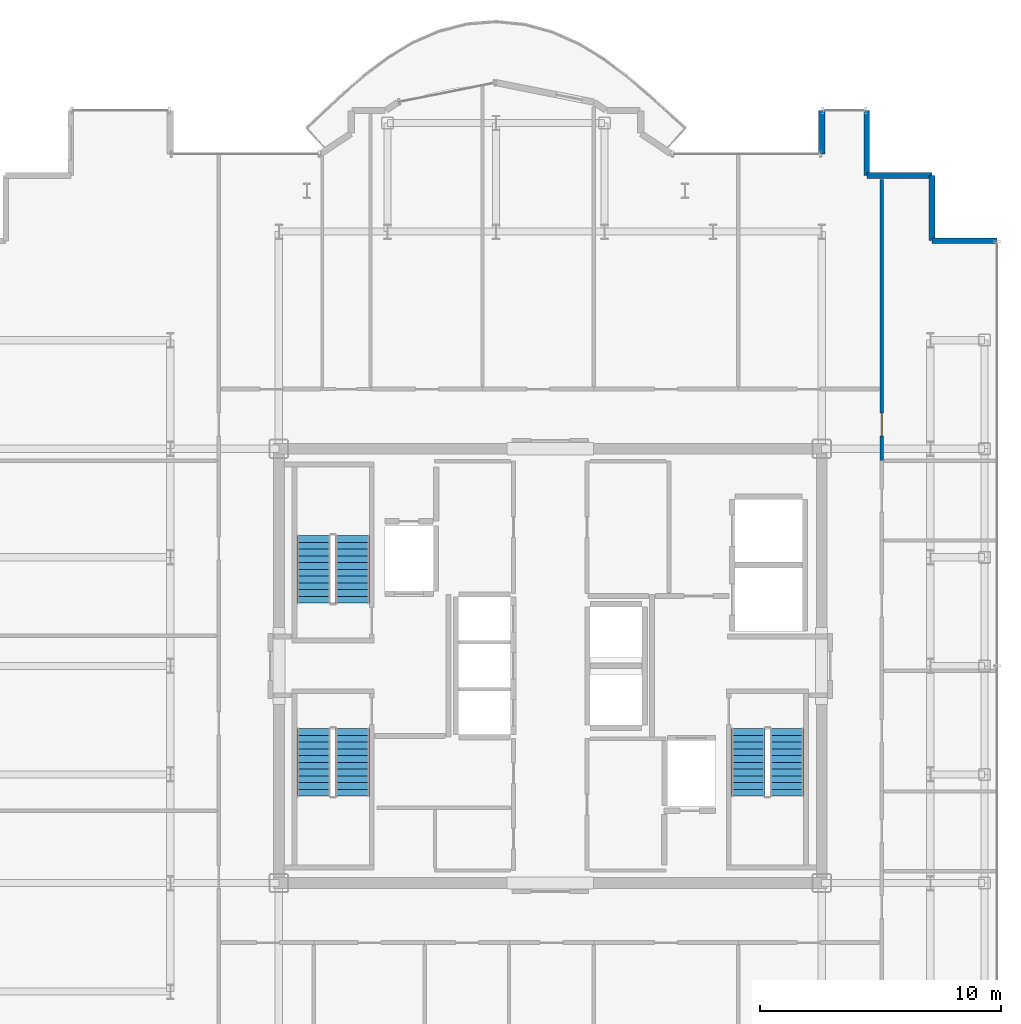
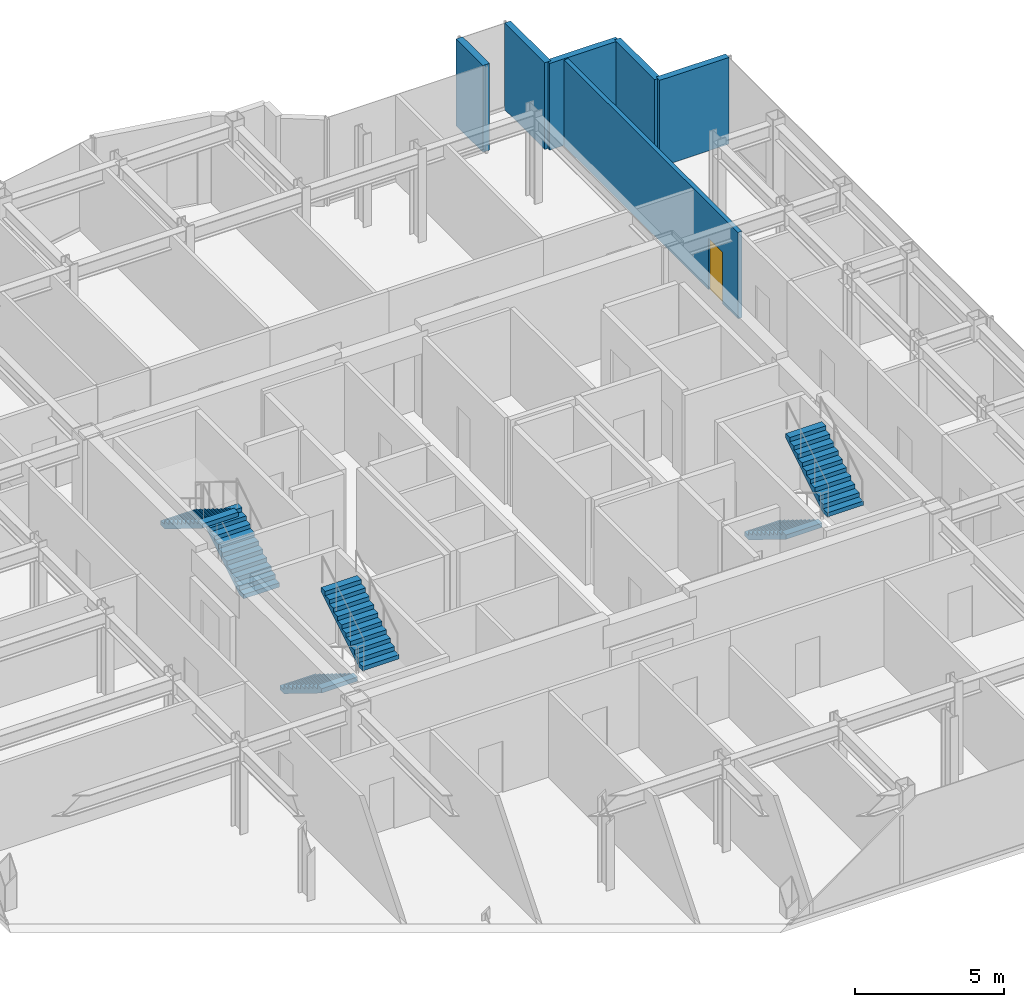
# One storey, part 17 of 18: 6 stair flights, 6 walls, 1 door, 1 opening, 3 elements without a shape of their own.
"""IFC4 building model written with IfcOpenShell, lengths in metres."""

from ifc_helpers import new_model, si_unit, direction, frame, frame_2d, origin, place, context, subcontext, project, spatial, polyline, rectangle, outline, extrude, source, transform, mapped, material, layer, layer_set, type_object, element, fill, aggregate, save


model = new_model("IFC4")

# Units and contexts
model_context = context("Model", 3, precision=1e-05, world=origin(), true_north=direction((0.0, 1.0)))
body_context = subcontext(model_context, "Body", "Model", "MODEL_VIEW")
ifc_project = project(units=[si_unit("LENGTHUNIT", "METRE"), si_unit("AREAUNIT", "SQUARE_METRE"), si_unit("VOLUMEUNIT", "CUBIC_METRE"), si_unit("PLANEANGLEUNIT", "RADIAN"), si_unit("MASSUNIT", "GRAM", prefix="KILO")], contexts=[model_context])

# Site, building, storey
site_placement = place(None, origin())
site = spatial("IfcSite", under=ifc_project, at=site_placement, CompositionType="ELEMENT")
building_placement = place(site_placement, origin())
building = spatial("IfcBuilding", under=site, at=building_placement, Name="Nefas-Gora Pilgrimage Tower", CompositionType="ELEMENT")
storey_placement = place(building_placement, frame((0.0, 0.0, 291.199951171875)))
storey = spatial("IfcBuildingStorey", under=building, at=storey_placement, Name="L73", CompositionType="ELEMENT", Elevation=291.199951171875)

# Walls
ifc_material_1 = material(Name="Precast concrete C40/50", Category="concrete")
ifc_layer_1 = layer(ifc_material_1, 0.260009765625)
ifc_layer_set_1 = layer_set([ifc_layer_1], Name="Precast concrete C40/50")
wall_type_1 = type_object("IfcWallType", Name="EW-PORTAL-260", PredefinedType="SOLIDWALL", material=ifc_layer_set_1)
shared_shape_1 = source(origin(), body_context, "Body", "SweptSolid", [
    extrude(rectangle(XDim=1.800048828125, YDim=0.260009765625, at=frame_2d((0.89990234375, 0.0))), origin(), (0.0, 0.0, 1.0), 3.550048828125),
])
wall_1_placement = place(storey_placement, frame((11.25, 23.02001953125, 0.0), z_axis=(0.0, 0.0, 1.0), x_axis=(0.0, -1.0, 0.0)))
element("IfcWall", 1, at=wall_1_placement, inside=storey, type_object=wall_type_1, Name="L73 Lobe Shoulder Precast Spandrel Pier 6", PredefinedType="SOLIDWALL", context=body_context, shape_type="MappedRepresentation", body=[
    mapped(shared_shape_1, transform((0.0, 0.0, 0.0), x_axis=(1.0, 0.0, 0.0), y_axis=(0.0, 1.0, 0.0), z_axis=(0.0, 0.0, 1.0), scale=1.0)),
])
ifc_material_2 = material(Name="Precast concrete C45/55", Category="concrete")
ifc_layer_2 = layer(ifc_material_2, 0.239990234375)
ifc_layer_set_2 = layer_set([ifc_layer_2], Name="Precast concrete C45/55")
wall_type_2 = type_object("IfcWallType", Name="EW-SERR-240", PredefinedType="SHEAR", material=ifc_layer_set_2)
shared_shape_2 = source(origin(), body_context, "Body", "SweptSolid", [
    extrude(rectangle(XDim=2.699951171875, YDim=0.239990234375, at=frame_2d((1.35009765625, 0.0))), origin(), (0.0, 0.0, 1.0), 3.550048828125),
])
for number, where, z_axis, x_axis, name in (
    (2, (18.52001953125, 17.6201171875, 0.0), (0.0, 0.0, 1.0), (-1.0, 0.0, 0.0), "L73 Serrated Corner Shear Pier Wall 2"),
    (3, (15.820068359375, 17.6201171875, 0.0), (0.0, 0.0, 1.0), (0.0, 1.0, 0.0), "L73 Serrated Corner Shear Pier Wall 3"),
    (4, (15.820068359375, 20.320068359375, 0.0), (0.0, 0.0, 1.0), (-1.0, 0.0, 0.0), "L73 Serrated Corner Shear Pier Wall 4"),
    (5, (13.1201171875, 20.320068359375, 0.0), (0.0, 0.0, 1.0), (0.0, 1.0, 0.0), "L73 Serrated Corner Shear Pier Wall 5"),
):
    element("IfcWall", number, at=place(storey_placement, frame(where, z_axis=z_axis, x_axis=x_axis)), inside=storey, type_object=wall_type_2, Name=name, PredefinedType="SHEAR", context=body_context, shape_type="MappedRepresentation", body=[
        mapped(shared_shape_2, transform((0.0, 0.0, 0.0), x_axis=(1.0, 0.0, 0.0), y_axis=(0.0, 1.0, 0.0), z_axis=(0.0, 0.0, 1.0), scale=1.0)),
    ])

# Wall, opening, door
ifc_material_3 = material(Name="Gypsum acoustic stud partition")
ifc_layer_3 = layer(ifc_material_3, 0.159912109375)
ifc_layer_set_3 = layer_set([ifc_layer_3], Name="Gypsum acoustic stud partition")
wall_type_3 = type_object("IfcWallType", Name="IW-CORR-160", PredefinedType="PARTITIONING", material=ifc_layer_set_3)
shared_shape_3 = source(origin(), body_context, "Body", "SweptSolid", [
    extrude(rectangle(XDim=11.664794921875, YDim=0.159912109375, at=frame_2d((5.83251953125, 0.0))), origin(), (0.0, 0.0, 1.0), 3.53515625),
])
wall_2_placement = place(storey_placement, frame((13.739990234375, 8.4951171875, 0.0), z_axis=(0.0, 0.0, 1.0), x_axis=(0.0, 1.0, 0.0)))
wall_2 = element("IfcWall", 6, at=wall_2_placement, inside=storey, type_object=wall_type_3, Name="L73 Pilgrim Contemplative Lounge Partition Wall 50", PredefinedType="PARTITIONING", context=body_context, shape_type="MappedRepresentation", body=[
    mapped(shared_shape_3, transform((0.0, 0.0, 0.0), x_axis=(1.0, 0.0, 0.0), y_axis=(0.0, 1.0, 0.0), z_axis=(0.0, 0.0, 1.0), scale=1.0)),
])
opening_placement = place(wall_2_placement, frame((1.032470703125, 0.0, 0.0)))
opening = element("IfcOpeningElement", 7, at=opening_placement, cuts=wall_2, Name="Opening ID-GR1", PredefinedType="OPENING", context=body_context, shape_type="SweptSolid", body=[
    extrude(rectangle(XDim=0.949951171875, YDim=2.10009765625, at=frame_2d((0.47509765625, 1.050048828125))), frame((0.0, 0.08984375, 0.0), z_axis=(0.0, -1.0, 0.0), x_axis=(1.0, 0.0, 0.0)), (0.0, 0.0, 1.0), 0.179931640625),
])
ifc_material_4 = material(Name="Solid core oak fire-rated guest entrance door")
door_type = type_object("IfcDoorType", Name="DR-INT-GUEST-950", OperationType="NOTDEFINED", PredefinedType="DOOR", material=ifc_material_4)
shared_shape_4 = source(origin(), body_context, "Body", "SweptSolid", [
    extrude(rectangle(XDim=0.949951171875, YDim=2.10009765625, at=frame_2d((0.47509765625, 1.050048828125))), frame((0.0, 0.02490234375, 0.0), z_axis=(0.0, -1.0, 0.0), x_axis=(1.0, 0.0, 0.0)), (0.0, 0.0, 1.0), 0.050048828125),
])
door_placement = place(opening_placement, origin())
door = element("IfcDoor", 8, at=door_placement, inside=storey, type_object=door_type, Name="L73 Pilgrim Contemplative Lounge Door 23", OperationType="SINGLE_SWING_LEFT", OverallHeight=2.10009765625, OverallWidth=0.949951171875, PredefinedType="DOOR", context=body_context, shape_type="MappedRepresentation", body=[
    mapped(shared_shape_4, transform((0.0, 0.0, 0.0), x_axis=(1.0, 0.0, 0.0), y_axis=(0.0, 1.0, 0.0), z_axis=(0.0, 0.0, 1.0), scale=1.0)),
])
fill(opening, door)

# Stair, stair flights
ifc_material_5 = material(Name="Concrete C45/55", Category="concrete")
stair_type = type_object("IfcStairType", Name="STR-1400-R1727", PredefinedType="HALF_TURN_STAIR", material=ifc_material_5)
stair_1_placement = place(storey_placement, origin())
stair_1 = element("IfcStair", 9, at=stair_1_placement, inside=storey, type_object=stair_type, Name="L73 Pressurised Tower Exit Stair ST-01", PredefinedType="HALF_TURN_STAIR")
stair_flight_type = type_object("IfcStairFlightType", Name="STF-1400-R1727", PredefinedType="STRAIGHT", material=ifc_material_5)
shared_shape_5 = source(origin(), body_context, "Body", "SweptSolid", [
    extrude(outline(polyline([(0.0, 0.0), (0.0, 0.172607421875), (0.280029296875, 0.172607421875), (0.280029296875, 0.345458984375), (0.56005859375, 0.345458984375), (0.56005859375, 0.51806640625), (0.840087890625, 0.51806640625), (0.840087890625, 0.69091796875), (1.1201171875, 0.69091796875), (1.1201171875, 0.863525390625), (1.39990234375, 0.863525390625), (1.39990234375, 1.036376953125), (1.679931640625, 1.036376953125), (1.679931640625, 1.208984375), (1.9599609375, 1.208984375), (1.9599609375, 1.3818359375), (2.239990234375, 1.3818359375), (2.239990234375, 1.554443359375), (2.52001953125, 1.554443359375), (2.52001953125, 1.727294921875), (2.800048828125, 1.727294921875), (2.800048828125, 1.89990234375), (2.800048828125, 1.551025390625), (0.285400390625, 0.0), (0.0, 0.0)])), frame((0.0, 0.699951171875, 0.0), z_axis=(0.0, -1.0, 0.0), x_axis=(1.0, 0.0, 0.0)), (0.0, 0.0, 1.0), 1.39990234375),
])
stair_flight_1_placement = place(storey_placement, frame((-8.199951171875, 2.60009765625, 0.0), z_axis=(0.0, 0.0, 1.0), x_axis=(0.0, 1.0, 0.0)))
stair_flight_1 = element("IfcStairFlight", 10, at=stair_flight_1_placement, type_object=stair_flight_type, Name="ST-01 flight 1", NumberOfRisers=11, NumberOfTreads=10, PredefinedType="STRAIGHT", RiserHeight=0.172727273, TreadLength=0.28, context=body_context, shape_type="MappedRepresentation", body=[
    mapped(shared_shape_5, transform((0.0, 0.0, 0.0), x_axis=(1.0, 0.0, 0.0), y_axis=(0.0, 1.0, 0.0), z_axis=(0.0, 0.0, 1.0), scale=1.0)),
])
stair_flight_2_placement = place(storey_placement, frame((-9.800048828125, 5.39990234375, 1.900146484375), z_axis=(0.0, 0.0, 1.0), x_axis=(0.0, -1.0, 0.0)))
stair_flight_2 = element("IfcStairFlight", 11, at=stair_flight_2_placement, type_object=stair_flight_type, Name="ST-01 flight 2", NumberOfRisers=11, NumberOfTreads=10, PredefinedType="STRAIGHT", RiserHeight=0.172727273, TreadLength=0.28, context=body_context, shape_type="MappedRepresentation", body=[
    mapped(shared_shape_5, transform((0.0, 0.0, 0.0), x_axis=(1.0, 0.0, 0.0), y_axis=(0.0, 1.0, 0.0), z_axis=(0.0, 0.0, 1.0), scale=1.0)),
])
aggregate(stair_1, [stair_flight_1, stair_flight_2])

stair_2_placement = place(storey_placement, origin())
stair_2 = element("IfcStair", 12, at=stair_2_placement, inside=storey, type_object=stair_type, Name="L73 Pressurised Tower Exit Stair ST-02", PredefinedType="HALF_TURN_STAIR")
stair_flight_3_placement = place(storey_placement, frame((8.199951171875, -2.60009765625, 0.0), z_axis=(0.0, 0.0, 1.0), x_axis=(0.0, -1.0, 0.0)))
stair_flight_3 = element("IfcStairFlight", 13, at=stair_flight_3_placement, type_object=stair_flight_type, Name="ST-02 flight 1", NumberOfRisers=11, NumberOfTreads=10, PredefinedType="STRAIGHT", RiserHeight=0.172727273, TreadLength=0.28, context=body_context, shape_type="MappedRepresentation", body=[
    mapped(shared_shape_5, transform((0.0, 0.0, 0.0), x_axis=(1.0, 0.0, 0.0), y_axis=(0.0, 1.0, 0.0), z_axis=(0.0, 0.0, 1.0), scale=1.0)),
])
stair_flight_4_placement = place(storey_placement, frame((9.800048828125, -5.39990234375, 1.900146484375), z_axis=(0.0, 0.0, 1.0), x_axis=(0.0, 1.0, 0.0)))
stair_flight_4 = element("IfcStairFlight", 14, at=stair_flight_4_placement, type_object=stair_flight_type, Name="ST-02 flight 2", NumberOfRisers=11, NumberOfTreads=10, PredefinedType="STRAIGHT", RiserHeight=0.172727273, TreadLength=0.28, context=body_context, shape_type="MappedRepresentation", body=[
    mapped(shared_shape_5, transform((0.0, 0.0, 0.0), x_axis=(1.0, 0.0, 0.0), y_axis=(0.0, 1.0, 0.0), z_axis=(0.0, 0.0, 1.0), scale=1.0)),
])
aggregate(stair_2, [stair_flight_3, stair_flight_4])

stair_3_placement = place(storey_placement, origin())
stair_3 = element("IfcStair", 15, at=stair_3_placement, inside=storey, type_object=stair_type, Name="L73 Pressurised Tower Exit Stair ST-03", PredefinedType="HALF_TURN_STAIR")
stair_flight_5_placement = place(storey_placement, frame((-9.800048828125, -2.60009765625, 0.0), z_axis=(0.0, 0.0, 1.0), x_axis=(0.0, -1.0, 0.0)))
stair_flight_5 = element("IfcStairFlight", 16, at=stair_flight_5_placement, type_object=stair_flight_type, Name="ST-03 flight 1", NumberOfRisers=11, NumberOfTreads=10, PredefinedType="STRAIGHT", RiserHeight=0.172727273, TreadLength=0.28, context=body_context, shape_type="MappedRepresentation", body=[
    mapped(shared_shape_5, transform((0.0, 0.0, 0.0), x_axis=(1.0, 0.0, 0.0), y_axis=(0.0, 1.0, 0.0), z_axis=(0.0, 0.0, 1.0), scale=1.0)),
])
stair_flight_6_placement = place(storey_placement, frame((-8.199951171875, -5.39990234375, 1.900146484375), z_axis=(0.0, 0.0, 1.0), x_axis=(0.0, 1.0, 0.0)))
stair_flight_6 = element("IfcStairFlight", 17, at=stair_flight_6_placement, type_object=stair_flight_type, Name="ST-03 flight 2", NumberOfRisers=11, NumberOfTreads=10, PredefinedType="STRAIGHT", RiserHeight=0.172727273, TreadLength=0.28, context=body_context, shape_type="MappedRepresentation", body=[
    mapped(shared_shape_5, transform((0.0, 0.0, 0.0), x_axis=(1.0, 0.0, 0.0), y_axis=(0.0, 1.0, 0.0), z_axis=(0.0, 0.0, 1.0), scale=1.0)),
])
aggregate(stair_3, [stair_flight_5, stair_flight_6])

save(model, "model.ifc")
